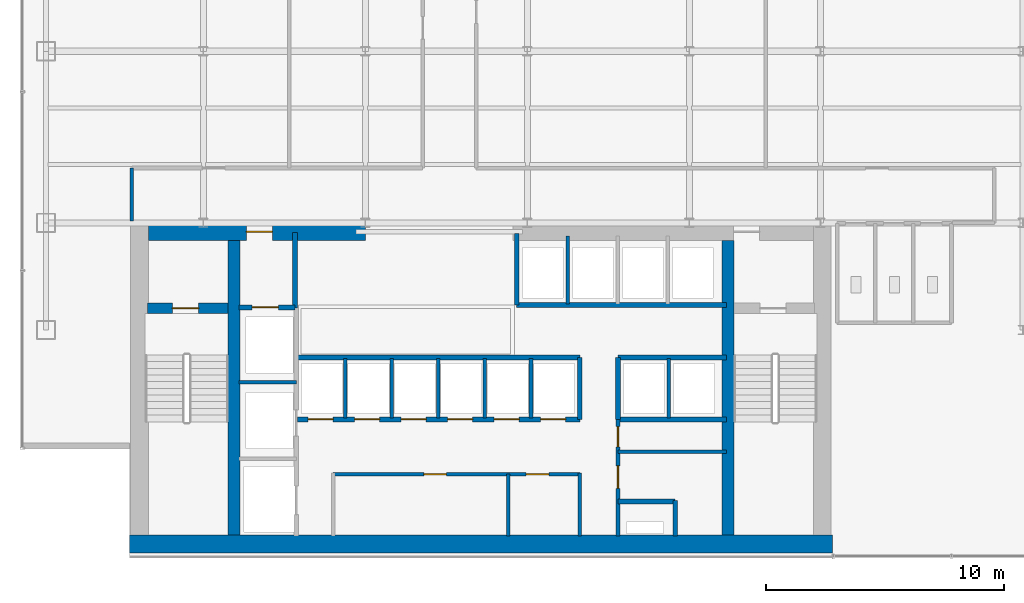
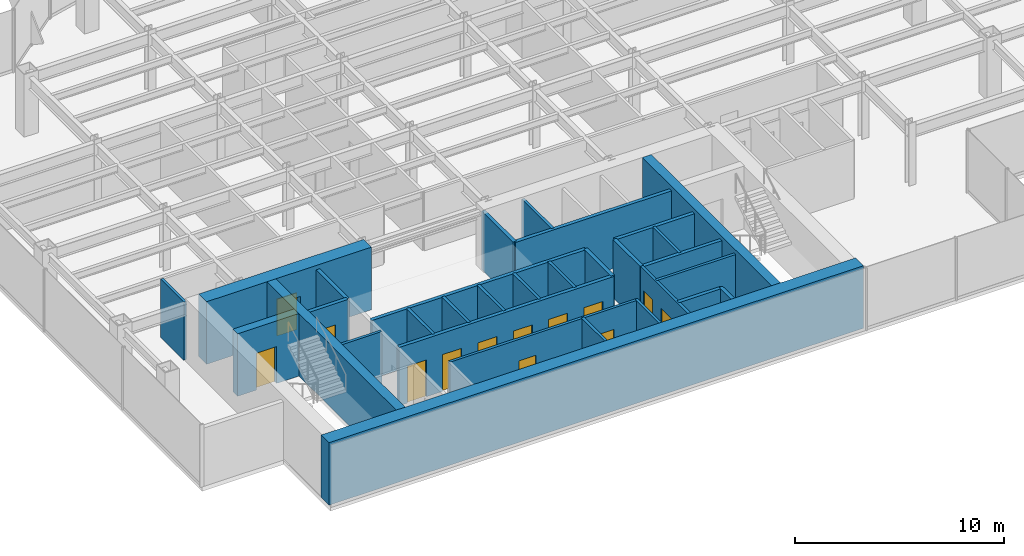
# One storey, part 21 of 26: 31 walls, 13 doors, 13 openings.
"""IFC4 building model written with IfcOpenShell, lengths in metres."""

from ifc_helpers import new_model, si_unit, derived_unit, direction, frame, frame_2d, origin, place, context, subcontext, project, spatial, rectangle, extrude, source, transform, mapped, material, layer, layer_set, type_object, element, fill, save


model = new_model("IFC4")

# Units and contexts
model_context = context("Model", 3, precision=1e-05, world=origin(), true_north=direction((0.0, 1.0)))
body_context = subcontext(model_context, "Body", "Model", "MODEL_VIEW")
ifc_project = project(units=[si_unit("LENGTHUNIT", "METRE"), si_unit("AREAUNIT", "SQUARE_METRE"), si_unit("VOLUMEUNIT", "CUBIC_METRE"), si_unit("PLANEANGLEUNIT", "RADIAN"), si_unit("MASSUNIT", "GRAM", prefix="KILO"), derived_unit("THERMALTRANSMITTANCEUNIT", [(si_unit("POWERUNIT", "WATT"), 1), (si_unit("LENGTHUNIT", "METRE"), -2), (si_unit("THERMODYNAMICTEMPERATUREUNIT", "KELVIN"), -1)])], contexts=[model_context])

# Site, building, storey
site_placement = place(None, origin())
site = spatial("IfcSite", under=ifc_project, at=site_placement, CompositionType="ELEMENT")
building_placement = place(site_placement, origin())
building = spatial("IfcBuilding", under=site, at=building_placement, Name="Skarnbrae Concourse Arena and Tower", CompositionType="ELEMENT")
storey_placement = place(building_placement, frame((0.0, 0.0, 92.300048828125)))
storey = spatial("IfcBuildingStorey", under=building, at=storey_placement, Name="L22", CompositionType="ELEMENT", Elevation=92.300048828125)

# Wall, opening, door
ifc_material_1 = material(Name="Concrete 50 MPa (C50/60)", Category="concrete")
ifc_layer_1 = layer(ifc_material_1, 0.449951171875)
ifc_layer_set_1 = layer_set([ifc_layer_1], Name="Concrete 50 MPa (C50/60)")
wall_type_1 = type_object("IfcWallType", Name="WALL-CORE-450-C50", PredefinedType="SHEAR", material=ifc_layer_set_1)
shared_shape_1 = source(origin(), body_context, "Body", "SweptSolid", [
    extrude(rectangle(XDim=3.389892578125, YDim=0.449951171875, at=frame_2d((1.69482421875, 0.0))), origin(), (0.0, 0.0, 1.0), 3.64990234375),
])
wall_1_placement = place(storey_placement, frame((5.25, 10.419921875, 0.0), z_axis=(0.0, 0.0, 1.0), x_axis=(1.0, 0.0, 0.0)))
wall_1 = element("IfcWall", 1, at=wall_1_placement, inside=storey, type_object=wall_type_1, Name="L22 Rear core shear wall CW-ST1-N", PredefinedType="SHEAR", context=body_context, shape_type="MappedRepresentation", body=[
    mapped(shared_shape_1, transform((0.0, 0.0, 0.0))),
])
opening_1_placement = place(wall_1_placement, frame((1.050048828125, 0.0, 0.0)))
opening_1 = element("IfcOpeningElement", 2, at=opening_1_placement, cuts=wall_1, Name="Opening DT-03", PredefinedType="OPENING", context=body_context, shape_type="SweptSolid", body=[
    extrude(rectangle(XDim=1.10009765625, YDim=2.14990234375, at=frame_2d((0.550048828125, 1.074951171875))), frame((0.0, 0.23486328125, 0.0), z_axis=(0.0, -1.0, 0.0), x_axis=(1.0, 0.0, 0.0)), (0.0, 0.0, 1.0), 0.469970703125),
])
ifc_material_2 = material(Name="Steel CSA G40.21 350W", Category="steel")
door_type_1 = type_object("IfcDoorType", Name="DOOR-FIRE-1100-90M", OperationType="NOTDEFINED", PredefinedType="DOOR", material=ifc_material_2)
shared_shape_2 = source(origin(), body_context, "Body", "SweptSolid", [
    extrude(rectangle(XDim=1.10009765625, YDim=2.14990234375, at=frame_2d((0.550048828125, 1.074951171875))), frame((0.0, 0.02490234375, 0.0), z_axis=(0.0, -1.0, 0.0), x_axis=(1.0, 0.0, 0.0)), (0.0, 0.0, 1.0), 0.050048828125),
])
door_1_placement = place(opening_1_placement, frame((1.10009765625, 0.0, 0.0), z_axis=(0.0, 0.0, 1.0), x_axis=(-1.0, 0.0, 0.0)))
door_1 = element("IfcDoor", 3, at=door_1_placement, inside=storey, type_object=door_type_1, Name="D-0760 Stair ST-1 Door", OperationType="SINGLE_SWING_LEFT", OverallHeight=2.14990234375, OverallWidth=1.10009765625, PredefinedType="DOOR", context=body_context, shape_type="MappedRepresentation", body=[
    mapped(shared_shape_2, transform((0.0, 0.0, 0.0))),
])
fill(opening_1, door_1)

# Wall
ifc_material_3 = material(Name="Concrete 60 MPa (C60/75)", Category="concrete")
ifc_layer_2 = layer(ifc_material_3, 0.75)
ifc_layer_set_2 = layer_set([ifc_layer_2], Name="Concrete 60 MPa (C60/75)")
wall_type_2 = type_object("IfcWallType", Name="WALL-CORE-750-C60", PredefinedType="SHEAR", material=ifc_layer_set_2)
shared_shape_3 = source(origin(), body_context, "Body", "SweptSolid", [
    extrude(rectangle(XDim=29.5, YDim=0.75, at=frame_2d((14.75, 0.0))), origin(), (0.0, 0.0, 1.0), 3.64990234375),
])
wall_2_placement = place(storey_placement, frame((4.5, 0.52490234375, 0.0), z_axis=(0.0, 0.0, 1.0), x_axis=(1.0, 0.0, 0.0)))
element("IfcWall", 4, at=wall_2_placement, inside=storey, type_object=wall_type_2, Name="L22 Rear core shear wall CW-S", PredefinedType="SHEAR", context=body_context, shape_type="MappedRepresentation", body=[
    mapped(shared_shape_3, transform((0.0, 0.0, 0.0))),
])

# Wall, opening, door
shared_shape_4 = source(origin(), body_context, "Body", "SweptSolid", [
    extrude(rectangle(XDim=9.099853515625, YDim=0.75, at=frame_2d((4.5498046875, 0.0))), origin(), (0.0, 0.0, 1.0), 3.64990234375),
])
wall_3_placement = place(storey_placement, frame((5.300048828125, 13.625, 0.0), z_axis=(0.0, 0.0, 1.0), x_axis=(1.0, 0.0, 0.0)))
wall_3 = element("IfcWall", 5, at=wall_3_placement, inside=storey, type_object=wall_type_2, Name="L22 Rear core shear wall CW-NW", PredefinedType="SHEAR", context=body_context, shape_type="MappedRepresentation", body=[
    mapped(shared_shape_4, transform((0.0, 0.0, 0.0))),
])
opening_2_placement = place(wall_3_placement, frame((4.10009765625, 0.0, 0.0)))
opening_2 = element("IfcOpeningElement", 6, at=opening_2_placement, cuts=wall_3, Name="Opening DT-03", PredefinedType="OPENING", context=body_context, shape_type="SweptSolid", body=[
    extrude(rectangle(XDim=1.10009765625, YDim=2.14990234375, at=frame_2d((0.550048828125, 1.074951171875))), frame((0.0, 0.385009765625, 0.0), z_axis=(0.0, -1.0, 0.0), x_axis=(1.0, 0.0, 0.0)), (0.0, 0.0, 1.0), 0.77001953125),
])
door_2_placement = place(opening_2_placement, origin())
door_2 = element("IfcDoor", 7, at=door_2_placement, inside=storey, type_object=door_type_1, Name="D-0762 Firefighting Lobby Exit Door", OperationType="SINGLE_SWING_RIGHT", OverallHeight=2.14990234375, OverallWidth=1.10009765625, PredefinedType="DOOR", context=body_context, shape_type="MappedRepresentation", body=[
    mapped(shared_shape_2, transform((0.0, 0.0, 0.0))),
])
fill(opening_2, door_2)

# Walls
ifc_layer_3 = layer(ifc_material_3, 0.5)
ifc_layer_set_3 = layer_set([ifc_layer_3], Name="Concrete 60 MPa (C60/75)")
wall_type_3 = type_object("IfcWallType", Name="WALL-CORE-500-C60", PredefinedType="SHEAR", material=ifc_layer_set_3)
shared_shape_5 = source(origin(), body_context, "Body", "SweptSolid", [
    extrude(rectangle(XDim=12.35009765625, YDim=0.5, at=frame_2d((6.175048828125, 0.0))), origin(), (0.0, 0.0, 1.0), 3.64990234375),
])
for number, where, z_axis, x_axis, name in (
    (8, (8.889892578125, 0.89990234375, 0.0), (0.0, 0.0, 1.0), (0.0, 1.0, 0.0), "L22 Rear core shear wall CW-WEB-W"),
    (9, (29.610107421875, 0.89990234375, 0.0), (0.0, 0.0, 1.0), (0.0, 1.0, 0.0), "L22 Rear core shear wall CW-WEB-E"),
):
    element("IfcWall", number, at=place(storey_placement, frame(where, z_axis=z_axis, x_axis=x_axis)), inside=storey, type_object=wall_type_3, Name=name, PredefinedType="SHEAR", context=body_context, shape_type="MappedRepresentation", body=[
        mapped(shared_shape_5, transform((0.0, 0.0, 0.0))),
    ])
ifc_material_4 = material(Name="Gypsum board on cold-formed steel studs", Category="steel")
ifc_layer_4 = layer(ifc_material_4, 0.199951171875)
ifc_layer_set_4 = layer_set([ifc_layer_4], Name="Gypsum board on cold-formed steel studs")
wall_type_4 = type_object("IfcWallType", Name="WALL-PART-200-2HR", PredefinedType="PARTITIONING", material=ifc_layer_set_4)
shared_shape_6 = source(origin(), body_context, "Body", "SweptSolid", [
    extrude(rectangle(XDim=3.18017578125, YDim=0.199951171875, at=frame_2d((1.590087890625, 0.0))), origin(), (0.0, 0.0, 1.0), 3.39990234375),
])
wall_4_placement = place(storey_placement, frame((11.449951171875, 10.419921875, 0.0), z_axis=(0.0, 0.0, 1.0), x_axis=(0.0, 1.0, 0.0)))
element("IfcWall", 10, at=wall_4_placement, inside=storey, type_object=wall_type_4, Name="L22 Interior partition wall W-L22-FFL-E", PredefinedType="PARTITIONING", context=body_context, shape_type="MappedRepresentation", body=[
    mapped(shared_shape_6, transform((0.0, 0.0, 0.0))),
])

# Wall, opening, door
shared_shape_7 = source(origin(), body_context, "Body", "SweptSolid", [
    extrude(rectangle(XDim=2.349853515625, YDim=0.199951171875, at=frame_2d((1.1748046875, 0.0))), origin(), (0.0, 0.0, 1.0), 3.39990234375),
])
wall_5_placement = place(storey_placement, frame((9.10009765625, 10.449951171875, 0.0), z_axis=(0.0, 0.0, 1.0), x_axis=(1.0, 0.0, 0.0)))
wall_5 = element("IfcWall", 11, at=wall_5_placement, inside=storey, type_object=wall_type_4, Name="L22 Interior partition wall W-L22-FL1-N", PredefinedType="PARTITIONING", context=body_context, shape_type="MappedRepresentation", body=[
    mapped(shared_shape_7, transform((0.0, 0.0, 0.0))),
])
opening_3_placement = place(wall_5_placement, frame((0.550048828125, 0.0, 0.0)))
opening_3 = element("IfcOpeningElement", 12, at=opening_3_placement, cuts=wall_5, Name="Opening LD-01", PredefinedType="OPENING", context=body_context, shape_type="SweptSolid", body=[
    extrude(rectangle(XDim=1.10009765625, YDim=2.14990234375, at=frame_2d((0.550048828125, 1.074951171875))), frame((0.0, 0.10986328125, 0.0), z_axis=(0.0, -1.0, 0.0), x_axis=(1.0, 0.0, 0.0)), (0.0, 0.0, 1.0), 0.219970703125),
])
door_type_2 = type_object("IfcDoorType", Name="DOOR-LIFT-SLIDE-1100", OperationType="SLIDING_TO_LEFT", PredefinedType="DOOR", material=ifc_material_2)
door_3_placement = place(opening_3_placement, origin())
door_3 = element("IfcDoor", 13, at=door_3_placement, inside=storey, type_object=door_type_2, Name="D-0764 Firefighting Lift Landing Door FL-01", OperationType="SLIDING_TO_LEFT", OverallHeight=2.14990234375, OverallWidth=1.10009765625, PredefinedType="DOOR", context=body_context, shape_type="MappedRepresentation", body=[
    mapped(shared_shape_2, transform((0.0, 0.0, 0.0))),
])
fill(opening_3, door_3)

# Walls
ifc_layer_5 = layer(ifc_material_4, 0.14990234375)
ifc_layer_set_5 = layer_set([ifc_layer_5], Name="Gypsum board on cold-formed steel studs")
wall_type_5 = type_object("IfcWallType", Name="WALL-PART-150", PredefinedType="PARTITIONING", material=ifc_layer_set_5)
shared_shape_8 = source(origin(), body_context, "Body", "SweptSolid", [
    extrude(rectangle(XDim=2.39990234375, YDim=0.14990234375, at=frame_2d((1.199951171875, 0.0))), origin(), (0.0, 0.0, 1.0), 3.39990234375),
])
wall_6_placement = place(storey_placement, frame((9.10009765625, 7.300048828125, 0.0), z_axis=(0.0, 0.0, 1.0), x_axis=(1.0, 0.0, 0.0)))
element("IfcWall", 14, at=wall_6_placement, inside=storey, type_object=wall_type_5, Name="L22 Interior partition wall W-L22-FL-D2", PredefinedType="PARTITIONING", context=body_context, shape_type="MappedRepresentation", body=[
    mapped(shared_shape_8, transform((0.0, 0.0, 0.0))),
])
shared_shape_9 = source(origin(), body_context, "Body", "SweptSolid", [
    extrude(rectangle(XDim=2.599853515625, YDim=0.14990234375, at=frame_2d((1.2998046875, 0.0))), origin(), (0.0, 0.0, 1.0), 3.39990234375),
])
wall_7_placement = place(storey_placement, frame((20.39990234375, 0.85009765625, 0.0), z_axis=(0.0, 0.0, 1.0), x_axis=(0.0, 1.0, 0.0)))
element("IfcWall", 15, at=wall_7_placement, inside=storey, type_object=wall_type_5, Name="L22 Interior partition wall W-L22-B1M-C1", PredefinedType="PARTITIONING", context=body_context, shape_type="MappedRepresentation", body=[
    mapped(shared_shape_9, transform((0.0, 0.0, 0.0))),
])

# Wall, openings, doors
shared_shape_10 = source(origin(), body_context, "Body", "SweptSolid", [
    extrude(rectangle(XDim=11.849853515625, YDim=0.199951171875, at=frame_2d((5.9248046875, 0.0))), origin(), (0.0, 0.0, 1.0), 3.39990234375),
])
wall_8_placement = place(storey_placement, frame((11.550048828125, 5.75, 0.0), z_axis=(0.0, 0.0, 1.0), x_axis=(1.0, 0.0, 0.0)))
wall_8 = element("IfcWall", 16, at=wall_8_placement, inside=storey, type_object=wall_type_4, Name="L22 Interior partition wall W-L22-B2-S", PredefinedType="PARTITIONING", context=body_context, shape_type="MappedRepresentation", body=[
    mapped(shared_shape_10, transform((0.0, 0.0, 0.0))),
])
opening_4_placement = place(wall_8_placement, frame((0.449951171875, 0.0, 0.0)))
opening_4 = element("IfcOpeningElement", 17, at=opening_4_placement, cuts=wall_8, Name="Opening LD-03", PredefinedType="OPENING", context=body_context, shape_type="SweptSolid", body=[
    extrude(rectangle(XDim=1.050048828125, YDim=2.14990234375, at=frame_2d((0.52490234375, 1.074951171875))), frame((0.0, 0.10986328125, 0.0), z_axis=(0.0, -1.0, 0.0), x_axis=(1.0, 0.0, 0.0)), (0.0, 0.0, 1.0), 0.219970703125),
])
opening_5_placement = place(wall_8_placement, frame((2.39990234375, 0.0, 0.0)))
opening_5 = element("IfcOpeningElement", 18, at=opening_5_placement, cuts=wall_8, Name="Opening LD-03", PredefinedType="OPENING", context=body_context, shape_type="SweptSolid", body=[
    extrude(rectangle(XDim=1.050048828125, YDim=2.14990234375, at=frame_2d((0.52490234375, 1.074951171875))), frame((0.0, 0.10986328125, 0.0), z_axis=(0.0, -1.0, 0.0), x_axis=(1.0, 0.0, 0.0)), (0.0, 0.0, 1.0), 0.219970703125),
])
opening_6_placement = place(wall_8_placement, frame((4.35009765625, 0.0, 0.0)))
opening_6 = element("IfcOpeningElement", 19, at=opening_6_placement, cuts=wall_8, Name="Opening LD-03", PredefinedType="OPENING", context=body_context, shape_type="SweptSolid", body=[
    extrude(rectangle(XDim=1.050048828125, YDim=2.14990234375, at=frame_2d((0.52490234375, 1.074951171875))), frame((0.0, 0.10986328125, 0.0), z_axis=(0.0, -1.0, 0.0), x_axis=(1.0, 0.0, 0.0)), (0.0, 0.0, 1.0), 0.219970703125),
])
opening_7_placement = place(wall_8_placement, frame((6.300048828125, 0.0, 0.0)))
opening_7 = element("IfcOpeningElement", 20, at=opening_7_placement, cuts=wall_8, Name="Opening LD-03", PredefinedType="OPENING", context=body_context, shape_type="SweptSolid", body=[
    extrude(rectangle(XDim=1.050048828125, YDim=2.14990234375, at=frame_2d((0.52490234375, 1.074951171875))), frame((0.0, 0.10986328125, 0.0), z_axis=(0.0, -1.0, 0.0), x_axis=(1.0, 0.0, 0.0)), (0.0, 0.0, 1.0), 0.219970703125),
])
opening_8_placement = place(wall_8_placement, frame((8.25, 0.0, 0.0)))
opening_8 = element("IfcOpeningElement", 21, at=opening_8_placement, cuts=wall_8, Name="Opening LD-03", PredefinedType="OPENING", context=body_context, shape_type="SweptSolid", body=[
    extrude(rectangle(XDim=1.050048828125, YDim=2.14990234375, at=frame_2d((0.52490234375, 1.074951171875))), frame((0.0, 0.10986328125, 0.0), z_axis=(0.0, -1.0, 0.0), x_axis=(1.0, 0.0, 0.0)), (0.0, 0.0, 1.0), 0.219970703125),
])
opening_9_placement = place(wall_8_placement, frame((10.199951171875, 0.0, 0.0)))
opening_9 = element("IfcOpeningElement", 22, at=opening_9_placement, cuts=wall_8, Name="Opening LD-03", PredefinedType="OPENING", context=body_context, shape_type="SweptSolid", body=[
    extrude(rectangle(XDim=1.050048828125, YDim=2.14990234375, at=frame_2d((0.52490234375, 1.074951171875))), frame((0.0, 0.10986328125, 0.0), z_axis=(0.0, -1.0, 0.0), x_axis=(1.0, 0.0, 0.0)), (0.0, 0.0, 1.0), 0.219970703125),
])
ifc_material_5 = material(Name="Bronze anodised aluminium 6063-T6", Category="aluminium")
door_type_3 = type_object("IfcDoorType", Name="DOOR-LIFT-SLIDE-1050", OperationType="SLIDING_TO_LEFT", PredefinedType="DOOR", material=ifc_material_5)
shared_shape_11 = source(origin(), body_context, "Body", "SweptSolid", [
    extrude(rectangle(XDim=1.050048828125, YDim=2.14990234375, at=frame_2d((0.52490234375, 1.074951171875))), frame((0.0, 0.02490234375, 0.0), z_axis=(0.0, -1.0, 0.0), x_axis=(1.0, 0.0, 0.0)), (0.0, 0.0, 1.0), 0.050048828125),
])
door_4_placement = place(opening_4_placement, frame((1.050048828125, 0.0, 0.0), z_axis=(0.0, 0.0, 1.0), x_axis=(-1.0, 0.0, 0.0)))
door_4 = element("IfcDoor", 23, at=door_4_placement, inside=storey, type_object=door_type_3, Name="D-0769 Passenger Lift Landing Door PL-2A", OperationType="SLIDING_TO_LEFT", OverallHeight=2.14990234375, OverallWidth=1.050048828125, PredefinedType="DOOR", context=body_context, shape_type="MappedRepresentation", body=[
    mapped(shared_shape_11, transform((0.0, 0.0, 0.0))),
])
fill(opening_4, door_4)
door_5_placement = place(opening_5_placement, frame((1.050048828125, 0.0, 0.0), z_axis=(0.0, 0.0, 1.0), x_axis=(-1.0, 0.0, 0.0)))
door_5 = element("IfcDoor", 24, at=door_5_placement, inside=storey, type_object=door_type_3, Name="D-0770 Passenger Lift Landing Door PL-2B", OperationType="SLIDING_TO_LEFT", OverallHeight=2.14990234375, OverallWidth=1.050048828125, PredefinedType="DOOR", context=body_context, shape_type="MappedRepresentation", body=[
    mapped(shared_shape_11, transform((0.0, 0.0, 0.0))),
])
fill(opening_5, door_5)
door_6_placement = place(opening_6_placement, frame((1.050048828125, 0.0, 0.0), z_axis=(0.0, 0.0, 1.0), x_axis=(-1.0, 0.0, 0.0)))
door_6 = element("IfcDoor", 25, at=door_6_placement, inside=storey, type_object=door_type_3, Name="D-0771 Passenger Lift Landing Door PL-2C", OperationType="SLIDING_TO_LEFT", OverallHeight=2.14990234375, OverallWidth=1.050048828125, PredefinedType="DOOR", context=body_context, shape_type="MappedRepresentation", body=[
    mapped(shared_shape_11, transform((0.0, 0.0, 0.0))),
])
fill(opening_6, door_6)
door_7_placement = place(opening_7_placement, frame((1.050048828125, 0.0, 0.0), z_axis=(0.0, 0.0, 1.0), x_axis=(-1.0, 0.0, 0.0)))
door_7 = element("IfcDoor", 26, at=door_7_placement, inside=storey, type_object=door_type_3, Name="D-0772 Passenger Lift Landing Door PL-2D", OperationType="SLIDING_TO_LEFT", OverallHeight=2.14990234375, OverallWidth=1.050048828125, PredefinedType="DOOR", context=body_context, shape_type="MappedRepresentation", body=[
    mapped(shared_shape_11, transform((0.0, 0.0, 0.0))),
])
fill(opening_7, door_7)
door_8_placement = place(opening_8_placement, frame((1.050048828125, 0.0, 0.0), z_axis=(0.0, 0.0, 1.0), x_axis=(-1.0, 0.0, 0.0)))
door_8 = element("IfcDoor", 27, at=door_8_placement, inside=storey, type_object=door_type_3, Name="D-0773 Passenger Lift Landing Door PL-2E", OperationType="SLIDING_TO_LEFT", OverallHeight=2.14990234375, OverallWidth=1.050048828125, PredefinedType="DOOR", context=body_context, shape_type="MappedRepresentation", body=[
    mapped(shared_shape_11, transform((0.0, 0.0, 0.0))),
])
fill(opening_8, door_8)
door_9_placement = place(opening_9_placement, frame((1.050048828125, 0.0, 0.0), z_axis=(0.0, 0.0, 1.0), x_axis=(-1.0, 0.0, 0.0)))
door_9 = element("IfcDoor", 28, at=door_9_placement, inside=storey, type_object=door_type_3, Name="D-0774 Passenger Lift Landing Door PL-2F", OperationType="SLIDING_TO_LEFT", OverallHeight=2.14990234375, OverallWidth=1.050048828125, PredefinedType="DOOR", context=body_context, shape_type="MappedRepresentation", body=[
    mapped(shared_shape_11, transform((0.0, 0.0, 0.0))),
])
fill(opening_9, door_9)

# Walls
wall_9_placement = place(storey_placement, frame((11.550048828125, 8.35009765625, 0.0), z_axis=(0.0, 0.0, 1.0), x_axis=(1.0, 0.0, 0.0)))
element("IfcWall", 29, at=wall_9_placement, inside=storey, type_object=wall_type_4, Name="L22 Interior partition wall W-L22-B2-N", PredefinedType="PARTITIONING", context=body_context, shape_type="MappedRepresentation", body=[
    mapped(shared_shape_10, transform((0.0, 0.0, 0.0))),
])
shared_shape_12 = source(origin(), body_context, "Body", "SweptSolid", [
    extrude(rectangle(XDim=2.60009765625, YDim=0.199951171875, at=frame_2d((1.300048828125, 0.0))), origin(), (0.0, 0.0, 1.0), 3.39990234375),
])
for number, where, z_axis, x_axis, name in (
    (30, (23.39990234375, 5.75, 0.0), (0.0, 0.0, 1.0), (0.0, 1.0, 0.0), "L22 Interior partition wall W-L22-B2-E"),
    (31, (25.0, 5.75, 0.0), (0.0, 0.0, 1.0), (0.0, 1.0, 0.0), "L22 Interior partition wall W-L22-B3S-W"),
):
    element("IfcWall", number, at=place(storey_placement, frame(where, z_axis=z_axis, x_axis=x_axis)), inside=storey, type_object=wall_type_4, Name=name, PredefinedType="PARTITIONING", context=body_context, shape_type="MappedRepresentation", body=[
        mapped(shared_shape_12, transform((0.0, 0.0, 0.0))),
    ])
shared_shape_13 = source(origin(), body_context, "Body", "SweptSolid", [
    extrude(rectangle(XDim=2.5, YDim=0.14990234375, at=frame_2d((1.25, 0.0))), origin(), (0.0, 0.0, 1.0), 3.39990234375),
])
for number, where, z_axis, x_axis, name in (
    (32, (13.550048828125, 5.800048828125, 0.0), (0.0, 0.0, 1.0), (0.0, 1.0, 0.0), "L22 Interior partition wall W-L22-B2-P1"),
    (33, (15.5, 5.800048828125, 0.0), (0.0, 0.0, 1.0), (0.0, 1.0, 0.0), "L22 Interior partition wall W-L22-B2-P2"),
    (34, (17.449951171875, 5.800048828125, 0.0), (0.0, 0.0, 1.0), (0.0, 1.0, 0.0), "L22 Interior partition wall W-L22-B2-P3"),
    (35, (19.39990234375, 5.800048828125, 0.0), (0.0, 0.0, 1.0), (0.0, 1.0, 0.0), "L22 Interior partition wall W-L22-B2-P4"),
    (36, (21.35009765625, 5.800048828125, 0.0), (0.0, 0.0, 1.0), (0.0, 1.0, 0.0), "L22 Interior partition wall W-L22-B2-P5"),
    (37, (27.139892578125, 5.800048828125, 0.0), (0.0, 0.0, 1.0), (0.0, 1.0, 0.0), "L22 Interior partition wall W-L22-B3S-P1"),
):
    element("IfcWall", number, at=place(storey_placement, frame(where, z_axis=z_axis, x_axis=x_axis)), inside=storey, type_object=wall_type_5, Name=name, PredefinedType="PARTITIONING", context=body_context, shape_type="MappedRepresentation", body=[
        mapped(shared_shape_13, transform((0.0, 0.0, 0.0))),
    ])
shared_shape_14 = source(origin(), body_context, "Body", "SweptSolid", [
    extrude(rectangle(XDim=8.800048828125, YDim=0.199951171875, at=frame_2d((4.39990234375, 0.0))), origin(), (0.0, 0.0, 1.0), 3.39990234375),
])
wall_10_placement = place(storey_placement, frame((20.75, 10.550048828125, 0.0), z_axis=(0.0, 0.0, 1.0), x_axis=(1.0, 0.0, 0.0)))
element("IfcWall", 38, at=wall_10_placement, inside=storey, type_object=wall_type_4, Name="L22 Interior partition wall W-L22-B3N-S", PredefinedType="PARTITIONING", context=body_context, shape_type="MappedRepresentation", body=[
    mapped(shared_shape_14, transform((0.0, 0.0, 0.0))),
])
shared_shape_15 = source(origin(), body_context, "Body", "SweptSolid", [
    extrude(rectangle(XDim=3.0, YDim=0.199951171875, at=frame_2d((1.5, 0.0))), origin(), (0.0, 0.0, 1.0), 3.39990234375),
])
wall_11_placement = place(storey_placement, frame((20.75, 10.550048828125, 0.0), z_axis=(0.0, 0.0, 1.0), x_axis=(0.0, 1.0, 0.0)))
element("IfcWall", 39, at=wall_11_placement, inside=storey, type_object=wall_type_4, Name="L22 Interior partition wall W-L22-B3N-W", PredefinedType="PARTITIONING", context=body_context, shape_type="MappedRepresentation", body=[
    mapped(shared_shape_15, transform((0.0, 0.0, 0.0))),
])
shared_shape_16 = source(origin(), body_context, "Body", "SweptSolid", [
    extrude(rectangle(XDim=2.849853515625, YDim=0.14990234375, at=frame_2d((1.4248046875, 0.0))), origin(), (0.0, 0.0, 1.0), 3.39990234375),
])
wall_12_placement = place(storey_placement, frame((22.889892578125, 10.60009765625, 0.0), z_axis=(0.0, 0.0, 1.0), x_axis=(0.0, 1.0, 0.0)))
element("IfcWall", 40, at=wall_12_placement, inside=storey, type_object=wall_type_5, Name="L22 Interior partition wall W-L22-B3N-P1", PredefinedType="PARTITIONING", context=body_context, shape_type="MappedRepresentation", body=[
    mapped(shared_shape_16, transform((0.0, 0.0, 0.0))),
])
shared_shape_17 = source(origin(), body_context, "Body", "SweptSolid", [
    extrude(rectangle(XDim=4.550048828125, YDim=0.199951171875, at=frame_2d((2.27490234375, 0.0))), origin(), (0.0, 0.0, 1.0), 3.39990234375),
])
for number, where, z_axis, x_axis, name in (
    (41, (25.0, 8.35009765625, 0.0), (0.0, 0.0, 1.0), (1.0, 0.0, 0.0), "L22 Interior partition wall W-L22-B3S-N"),
    (42, (25.0, 5.75, 0.0), (0.0, 0.0, 1.0), (1.0, 0.0, 0.0), "L22 Interior partition wall W-L22-B3S-S"),
):
    element("IfcWall", number, at=place(storey_placement, frame(where, z_axis=z_axis, x_axis=x_axis)), inside=storey, type_object=wall_type_4, Name=name, PredefinedType="PARTITIONING", context=body_context, shape_type="MappedRepresentation", body=[
        mapped(shared_shape_17, transform((0.0, 0.0, 0.0))),
    ])

# Wall, openings, doors
ifc_layer_6 = layer(ifc_material_4, 0.14990234375)
ifc_layer_set_6 = layer_set([ifc_layer_6], Name="Gypsum board on cold-formed steel studs")
wall_type_6 = type_object("IfcWallType", Name="WALL-PART-150-1HR", PredefinedType="PARTITIONING", material=ifc_layer_set_6)
shared_shape_18 = source(origin(), body_context, "Body", "SweptSolid", [
    extrude(rectangle(XDim=4.89990234375, YDim=0.14990234375, at=frame_2d((2.449951171875, 0.0))), origin(), (0.0, 0.0, 1.0), 3.39990234375),
])
wall_13_placement = place(storey_placement, frame((25.0, 0.85009765625, 0.0), z_axis=(0.0, 0.0, 1.0), x_axis=(0.0, 1.0, 0.0)))
wall_13 = element("IfcWall", 43, at=wall_13_placement, inside=storey, type_object=wall_type_6, Name="L22 Interior partition wall W-L22-CSV-W", PredefinedType="PARTITIONING", context=body_context, shape_type="MappedRepresentation", body=[
    mapped(shared_shape_18, transform((0.0, 0.0, 0.0))),
])
opening_10_placement = place(wall_13_placement, frame((2.0, 0.0, 0.0)))
opening_10 = element("IfcOpeningElement", 44, at=opening_10_placement, cuts=wall_13, Name="Opening DT-04", PredefinedType="OPENING", context=body_context, shape_type="SweptSolid", body=[
    extrude(rectangle(XDim=0.949951171875, YDim=2.14990234375, at=frame_2d((0.47509765625, 1.074951171875))), frame((0.0, 0.0849609375, 0.0), z_axis=(0.0, -1.0, 0.0), x_axis=(1.0, 0.0, 0.0)), (0.0, 0.0, 1.0), 0.169921875),
])
opening_11_placement = place(wall_13_placement, frame((3.75, 0.0, 0.0)))
opening_11 = element("IfcOpeningElement", 45, at=opening_11_placement, cuts=wall_13, Name="Opening DT-08", PredefinedType="OPENING", context=body_context, shape_type="SweptSolid", body=[
    extrude(rectangle(XDim=0.85009765625, YDim=2.14990234375, at=frame_2d((0.425048828125, 1.074951171875))), frame((0.0, 0.0849609375, 0.0), z_axis=(0.0, -1.0, 0.0), x_axis=(1.0, 0.0, 0.0)), (0.0, 0.0, 1.0), 0.169921875),
])
door_type_4 = type_object("IfcDoorType", Name="DOOR-INT-950-45M", OperationType="NOTDEFINED", PredefinedType="DOOR", material=ifc_material_2)
shared_shape_19 = source(origin(), body_context, "Body", "SweptSolid", [
    extrude(rectangle(XDim=0.949951171875, YDim=2.14990234375, at=frame_2d((0.47509765625, 1.074951171875))), frame((0.0, 0.02490234375, 0.0), z_axis=(0.0, -1.0, 0.0), x_axis=(1.0, 0.0, 0.0)), (0.0, 0.0, 1.0), 0.050048828125),
])
door_10_placement = place(opening_10_placement, origin())
door_10 = element("IfcDoor", 46, at=door_10_placement, inside=storey, type_object=door_type_4, Name="D-0775 Telemetry Room Door", OperationType="SINGLE_SWING_LEFT", OverallHeight=2.14990234375, OverallWidth=0.949951171875, PredefinedType="DOOR", context=body_context, shape_type="MappedRepresentation", body=[
    mapped(shared_shape_19, transform((0.0, 0.0, 0.0))),
])
fill(opening_10, door_10)
door_type_5 = type_object("IfcDoorType", Name="DOOR-INT-850-45M", OperationType="NOTDEFINED", PredefinedType="DOOR", material=ifc_material_2)
shared_shape_20 = source(origin(), body_context, "Body", "SweptSolid", [
    extrude(rectangle(XDim=0.85009765625, YDim=2.14990234375, at=frame_2d((0.425048828125, 1.074951171875))), frame((0.0, 0.02490234375, 0.0), z_axis=(0.0, -1.0, 0.0), x_axis=(1.0, 0.0, 0.0)), (0.0, 0.0, 1.0), 0.050048828125),
])
door_11_placement = place(opening_11_placement, origin())
door_11 = element("IfcDoor", 47, at=door_11_placement, inside=storey, type_object=door_type_5, Name="D-0776 Recycling Room Door", OperationType="SINGLE_SWING_RIGHT", OverallHeight=2.14990234375, OverallWidth=0.85009765625, PredefinedType="DOOR", context=body_context, shape_type="MappedRepresentation", body=[
    mapped(shared_shape_20, transform((0.0, 0.0, 0.0))),
])
fill(opening_11, door_11)

# Walls
shared_shape_21 = source(origin(), body_context, "Body", "SweptSolid", [
    extrude(rectangle(XDim=2.39990234375, YDim=0.199951171875, at=frame_2d((1.199951171875, 0.0))), origin(), (0.0, 0.0, 1.0), 3.39990234375),
])
wall_14_placement = place(storey_placement, frame((25.0, 2.300048828125, 0.0), z_axis=(0.0, 0.0, 1.0), x_axis=(1.0, 0.0, 0.0)))
element("IfcWall", 48, at=wall_14_placement, inside=storey, type_object=wall_type_4, Name="L22 Interior partition wall W-L22-MEP-N", PredefinedType="PARTITIONING", context=body_context, shape_type="MappedRepresentation", body=[
    mapped(shared_shape_21, transform((0.0, 0.0, 0.0))),
])
shared_shape_22 = source(origin(), body_context, "Body", "SweptSolid", [
    extrude(rectangle(XDim=1.5, YDim=0.199951171875, at=frame_2d((0.75, 0.0))), origin(), (0.0, 0.0, 1.0), 3.39990234375),
])
wall_15_placement = place(storey_placement, frame((27.39990234375, 0.85009765625, 0.0), z_axis=(0.0, 0.0, 1.0), x_axis=(0.0, 1.0, 0.0)))
element("IfcWall", 49, at=wall_15_placement, inside=storey, type_object=wall_type_4, Name="L22 Interior partition wall W-L22-MEP-E", PredefinedType="PARTITIONING", context=body_context, shape_type="MappedRepresentation", body=[
    mapped(shared_shape_22, transform((0.0, 0.0, 0.0))),
])
shared_shape_23 = source(origin(), body_context, "Body", "SweptSolid", [
    extrude(rectangle(XDim=4.550048828125, YDim=0.14990234375, at=frame_2d((2.27490234375, 0.0))), origin(), (0.0, 0.0, 1.0), 3.39990234375),
])
wall_16_placement = place(storey_placement, frame((25.0, 4.39990234375, 0.0), z_axis=(0.0, 0.0, 1.0), x_axis=(1.0, 0.0, 0.0)))
element("IfcWall", 50, at=wall_16_placement, inside=storey, type_object=wall_type_5, Name="L22 Interior partition wall W-L22-CSV-H", PredefinedType="PARTITIONING", context=body_context, shape_type="MappedRepresentation", body=[
    mapped(shared_shape_23, transform((0.0, 0.0, 0.0))),
])
shared_shape_24 = source(origin(), body_context, "Body", "SweptSolid", [
    extrude(rectangle(XDim=2.64990234375, YDim=0.14990234375, at=frame_2d((1.324951171875, 0.0))), origin(), (0.0, 0.0, 1.0), 3.39990234375),
])
wall_17_placement = place(storey_placement, frame((23.39990234375, 0.85009765625, 0.0), z_axis=(0.0, 0.0, 1.0), x_axis=(0.0, 1.0, 0.0)))
element("IfcWall", 51, at=wall_17_placement, inside=storey, type_object=wall_type_6, Name="L22 Interior partition wall W-L22-B1M-E", PredefinedType="PARTITIONING", context=body_context, shape_type="MappedRepresentation", body=[
    mapped(shared_shape_24, transform((0.0, 0.0, 0.0))),
])

# Wall, openings, doors
shared_shape_25 = source(origin(), body_context, "Body", "SweptSolid", [
    extrude(rectangle(XDim=10.349853515625, YDim=0.14990234375, at=frame_2d((5.1748046875, 0.0))), origin(), (0.0, 0.0, 1.0), 3.39990234375),
])
wall_18_placement = place(storey_placement, frame((13.050048828125, 3.449951171875, 0.0), z_axis=(0.0, 0.0, 1.0), x_axis=(1.0, 0.0, 0.0)))
wall_18 = element("IfcWall", 52, at=wall_18_placement, inside=storey, type_object=wall_type_6, Name="L22 Interior partition wall W-L22-B1M-N", PredefinedType="PARTITIONING", context=body_context, shape_type="MappedRepresentation", body=[
    mapped(shared_shape_25, transform((0.0, 0.0, 0.0))),
])
opening_12_placement = place(wall_18_placement, frame((3.800048828125, 0.0, 0.0)))
opening_12 = element("IfcOpeningElement", 53, at=opening_12_placement, cuts=wall_18, Name="Opening DT-04", PredefinedType="OPENING", context=body_context, shape_type="SweptSolid", body=[
    extrude(rectangle(XDim=0.949951171875, YDim=2.14990234375, at=frame_2d((0.47509765625, 1.074951171875))), frame((0.0, 0.0849609375, 0.0), z_axis=(0.0, -1.0, 0.0), x_axis=(1.0, 0.0, 0.0)), (0.0, 0.0, 1.0), 0.169921875),
])
opening_13_placement = place(wall_18_placement, frame((8.10009765625, 0.0, 0.0)))
opening_13 = element("IfcOpeningElement", 54, at=opening_13_placement, cuts=wall_18, Name="Opening DT-04", PredefinedType="OPENING", context=body_context, shape_type="SweptSolid", body=[
    extrude(rectangle(XDim=0.949951171875, YDim=2.14990234375, at=frame_2d((0.47509765625, 1.074951171875))), frame((0.0, 0.0849609375, 0.0), z_axis=(0.0, -1.0, 0.0), x_axis=(1.0, 0.0, 0.0)), (0.0, 0.0, 1.0), 0.169921875),
])
door_12_placement = place(opening_12_placement, origin())
door_12 = element("IfcDoor", 55, at=door_12_placement, inside=storey, type_object=door_type_4, Name="D-0767 Staff Locker Door", OperationType="SINGLE_SWING_LEFT", OverallHeight=2.14990234375, OverallWidth=0.949951171875, PredefinedType="DOOR", context=body_context, shape_type="MappedRepresentation", body=[
    mapped(shared_shape_19, transform((0.0, 0.0, 0.0))),
])
fill(opening_12, door_12)
door_13_placement = place(opening_13_placement, origin())
door_13 = element("IfcDoor", 56, at=door_13_placement, inside=storey, type_object=door_type_4, Name="D-0768 Janitor Store Door", OperationType="SINGLE_SWING_RIGHT", OverallHeight=2.14990234375, OverallWidth=0.949951171875, PredefinedType="DOOR", context=body_context, shape_type="MappedRepresentation", body=[
    mapped(shared_shape_19, transform((0.0, 0.0, 0.0))),
])
fill(opening_13, door_13)

# Wall
shared_shape_26 = source(origin(), body_context, "Body", "SweptSolid", [
    extrude(rectangle(XDim=2.219970703125, YDim=0.14990234375, at=frame_2d((1.10986328125, 0.0))), origin(), (0.0, 0.0, 1.0), 3.39990234375),
])
wall_19_placement = place(storey_placement, frame((4.60009765625, 14.080078125, 0.0), z_axis=(0.0, 0.0, 1.0), x_axis=(0.0, 1.0, 0.0)))
element("IfcWall", 57, at=wall_19_placement, inside=storey, type_object=wall_type_6, Name="L22 Interior partition wall W-L22-COR-01", PredefinedType="PARTITIONING", context=body_context, shape_type="MappedRepresentation", body=[
    mapped(shared_shape_26, transform((0.0, 0.0, 0.0))),
])

save(model, "model.ifc")
